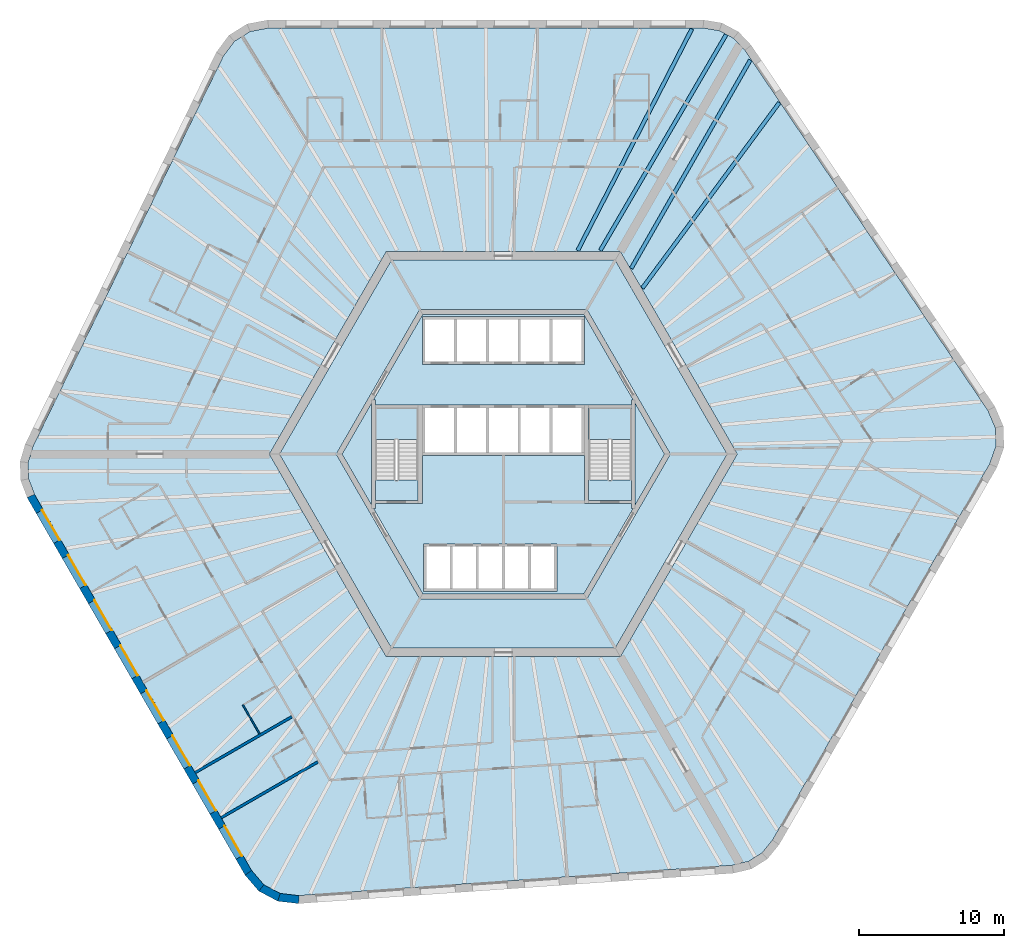
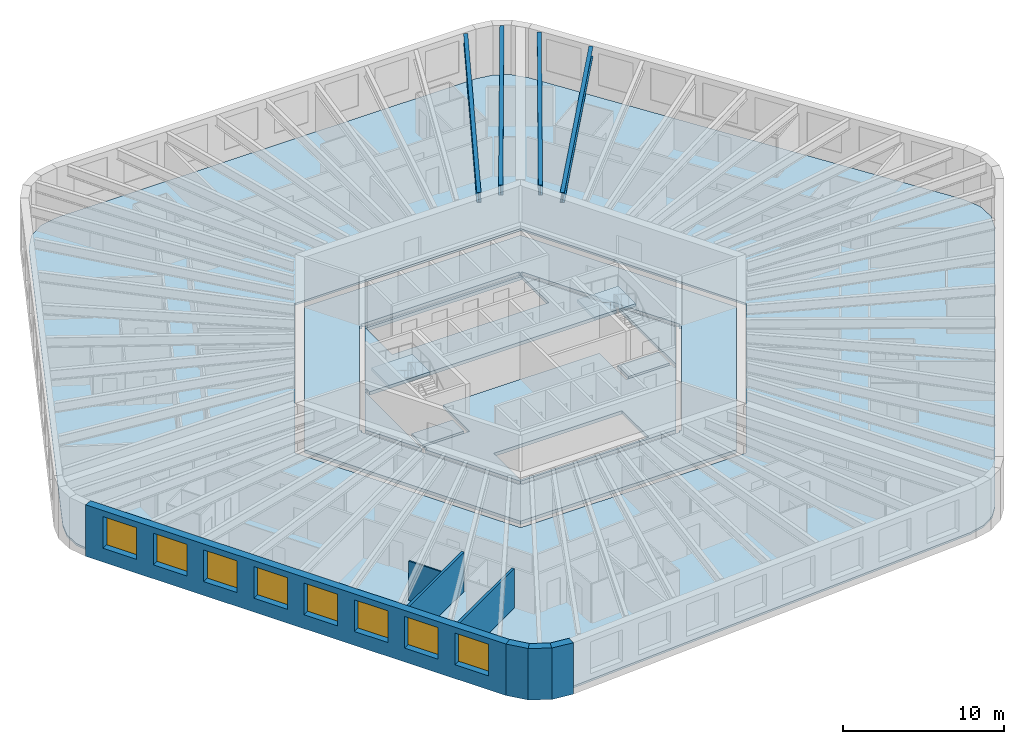
# One storey, part 2 of 12: 10 slabs, 8 windows, 7 walls, 4 beams, 8 openings, 2 elements without a shape of their own.
"""IFC4 building model written with IfcOpenShell, lengths in metres."""

import ifcopenshell
import ifcopenshell.guid

model = None  # the IFC model being written
_history = None  # IfcOwnerHistory: only IFC2X3 demands one
_inside = {}  # id of a spatial element -> (the spatial element, [elements in it])
_under = {}  # id of a project, library or spatial element -> (it, [spatial elements below it])
_declared = {}  # id of a project -> (the project, [libraries it declares])
_typed = {}  # id of a type object -> (the type object, [elements of that type])
_made_of = {}  # id of a material, layer set ... -> (it, [elements and type objects made of it])


def new_model(schema):
    """Start an empty IFC model of exactly this schema.

    Asked for "IFC4X3", IfcOpenShell would pick the latest addendum, in which some entities
    have other attributes; the version numbers below select the first issue.
    IFC2X3 requires an IfcOwnerHistory on every rooted entity: one is made here for all.
    """
    global model, _history
    if schema == "IFC4X3":
        model = ifcopenshell.file(schema_version=(4, 3, 0, 0))
    else:
        model = ifcopenshell.file(schema=schema)
    _inside.clear()
    _under.clear()
    _declared.clear()
    _typed.clear()
    _made_of.clear()
    _history = None
    if model.schema == "IFC2X3":
        org = make("IfcOrganization", Name="unknown")
        user = make(
            "IfcPersonAndOrganization",
            ThePerson=make("IfcPerson", FamilyName="unknown"),
            TheOrganization=org,
        )
        app = make(
            "IfcApplication",
            ApplicationDeveloper=org,
            Version="unknown",
            ApplicationFullName="unknown",
            ApplicationIdentifier="unknown",
        )
        _history = make(
            "IfcOwnerHistory",
            OwningUser=user,
            OwningApplication=app,
            ChangeAction="ADDED",
            CreationDate=0,
        )
    return model


def make(cls, **values):
    """One entity of the class cls with the attributes given. An attribute that is None is left unset."""
    return model.create_entity(
        cls, **{name: value for name, value in values.items() if value is not None}
    )


def rooted(cls, **values):
    """An entity with a GlobalId (a new one), such as an element, a storey or a relation."""
    return make(cls, GlobalId=ifcopenshell.guid.new(), OwnerHistory=_history, **values)


def si_unit(unit_type, name, prefix=None):
    """IfcSIUnit, for example si_unit("LENGTHUNIT", "METRE", prefix="MILLI")."""
    return make("IfcSIUnit", UnitType=unit_type, Prefix=prefix, Name=name)


def assignment(units):
    """IfcUnitAssignment: the units of a project."""
    return None if units is None else make("IfcUnitAssignment", Units=units)


def point(xyz):
    """IfcCartesianPoint."""
    return None if xyz is None else make("IfcCartesianPoint", Coordinates=xyz)


def direction(xyz):
    """IfcDirection."""
    return None if xyz is None else make("IfcDirection", DirectionRatios=xyz)


def frame(location, z_axis=None, x_axis=None):
    """IfcAxis2Placement3D, a coordinate frame: its origin and axes. An axis left out is left unset."""
    return make(
        "IfcAxis2Placement3D",
        Location=point(location),
        Axis=direction(z_axis),
        RefDirection=direction(x_axis),
    )


def frame_2d(location, x_axis=None):
    """IfcAxis2Placement2D, a coordinate frame in the plane: its origin and x axis."""
    return make(
        "IfcAxis2Placement2D", Location=point(location), RefDirection=direction(x_axis)
    )


def origin():
    """The frame at (0, 0, 0) with its axes left unset."""
    return frame((0.0, 0.0, 0.0))


def origin_2d():
    """The frame at (0, 0) in the plane with its x axis left unset."""
    return frame_2d((0.0, 0.0))


def place(relative_to, where):
    """IfcLocalPlacement: puts the frame where relative to a parent placement (None: the world)."""
    return make(
        "IfcLocalPlacement", PlacementRelTo=relative_to, RelativePlacement=where
    )


def context(
    kind, dimensions, precision=None, world=None, true_north=None, identifier=None
):
    """IfcGeometricRepresentationContext, for example the 3D "Model" context."""
    return make(
        "IfcGeometricRepresentationContext",
        ContextIdentifier=identifier,
        ContextType=kind,
        CoordinateSpaceDimension=dimensions,
        Precision=precision,
        WorldCoordinateSystem=world,
        TrueNorth=true_north,
    )


def subcontext(parent, identifier, kind, view, scale=None):
    """IfcGeometricRepresentationSubContext, for example "Body" below "Model"."""
    return make(
        "IfcGeometricRepresentationSubContext",
        ContextIdentifier=identifier,
        ContextType=kind,
        ParentContext=parent,
        TargetScale=scale,
        TargetView=view,
    )


def project(units=None, contexts=None):
    """IfcProject with its units and contexts."""
    return rooted(
        "IfcProject",
        Name="project",
        RepresentationContexts=contexts,
        UnitsInContext=assignment(units),
    )


def spatial(cls, under=None, at=None, **own):
    """A site, building, storey or space (cls), placed at a placement, below another one or the project."""
    s = rooted(cls, ObjectPlacement=at, **own)
    if under is not None:
        _under.setdefault(under.id(), (under, []))[1].append(s)
    return s


def polyline(points):
    """IfcPolyline through the points."""
    return make("IfcPolyline", Points=[point(p) for p in points])


def profile(cls, at=None, kind="AREA", **sizes):
    """A parametric profile (cls). Its sizes go by their IFC names, for example OverallWidth=200.0."""
    return make(cls, ProfileType=kind, Position=at, **sizes)


def rectangle(**sizes):
    """IfcRectangleProfileDef."""
    return profile("IfcRectangleProfileDef", **sizes)


def i_section(**sizes):
    """IfcIShapeProfileDef."""
    return profile("IfcIShapeProfileDef", **sizes)


def outline(outer, holes=None, kind="AREA"):
    """IfcArbitraryClosedProfileDef: a profile drawn as a closed curve; with holes, ...WithVoids."""
    if holes is None:
        return make("IfcArbitraryClosedProfileDef", ProfileType=kind, OuterCurve=outer)
    return make(
        "IfcArbitraryProfileDefWithVoids",
        ProfileType=kind,
        OuterCurve=outer,
        InnerCurves=holes,
    )


def extrude(swept, where, along, depth):
    """IfcExtrudedAreaSolid: the profile swept, set in the frame where, extruded along a direction by depth."""
    return make(
        "IfcExtrudedAreaSolid",
        SweptArea=swept,
        Position=where,
        ExtrudedDirection=direction(along),
        Depth=depth,
    )


def shape(context_of_items, identifier, shape_type, items):
    """IfcShapeRepresentation: the items that make up one representation, for example the "Body"."""
    return make(
        "IfcShapeRepresentation",
        ContextOfItems=context_of_items,
        RepresentationIdentifier=identifier,
        RepresentationType=shape_type,
        Items=items,
    )


def material(Name=None, Category=None):
    """IfcMaterial."""
    return make("IfcMaterial", Name=Name, Category=Category)


def layer(
    of_material, thickness, ventilated=None, Name=None, Category=None, Priority=None
):
    """IfcMaterialLayer: one layer of a wall or slab, of a material (None: an air gap)."""
    return make(
        "IfcMaterialLayer",
        Material=of_material,
        LayerThickness=thickness,
        IsVentilated=ventilated,
        Name=Name,
        Category=Category,
        Priority=Priority,
    )


def layer_set(layers, Name=None):
    """IfcMaterialLayerSet."""
    return make("IfcMaterialLayerSet", MaterialLayers=layers, LayerSetName=Name)


def material_profile(
    of_material, cross_section, Name=None, Category=None, Priority=None
):
    """IfcMaterialProfile: a cross section and its material."""
    return make(
        "IfcMaterialProfile",
        Name=Name,
        Material=of_material,
        Profile=cross_section,
        Priority=Priority,
        Category=Category,
    )


def profile_set(profiles, Name=None, composite=None):
    """IfcMaterialProfileSet."""
    return make(
        "IfcMaterialProfileSet",
        Name=Name,
        MaterialProfiles=profiles,
        CompositeProfile=composite,
    )


def made_of(thing, what):
    """Note that an element or type object is made of a material, layer set ...; save() writes the relation."""
    if what is not None:
        _made_of.setdefault(what.id(), (what, []))[1].append(thing)
    return thing


def type_object(cls, material=None, **own):
    """A type object (cls), such as IfcWallType, which elements share."""
    return made_of(rooted(cls, **own), material)


def element(
    cls,
    number,
    at=None,
    inside=None,
    cuts=None,
    type_object=None,
    material=None,
    context=None,
    identifier="Body",
    shape_type=None,
    held_by="IfcProductDefinitionShape",
    body=None,
    shapes=None,
    **own,
):
    """One element of the class cls, such as IfcWall. Its Tag is "e" and its number.

    at: its placement. inside: the storey or other place that contains it. cuts: it is an
    opening in that element (IfcRelVoidsElement). A single representation is given by context,
    identifier, shape_type and body (its items); several are given by shapes. held_by: the class
    of the entity that holds the representations. save() writes the other relations.
    """
    e = rooted(cls, Tag="e%d" % number, ObjectPlacement=at, **own)
    if body is not None:
        shapes = [shape(context, identifier, shape_type, body)]
    if shapes is not None:
        e.Representation = make(held_by, Representations=shapes)
    if inside is not None:
        _inside.setdefault(inside.id(), (inside, []))[1].append(e)
    if cuts is not None:
        rooted(
            "IfcRelVoidsElement", RelatingBuildingElement=cuts, RelatedOpeningElement=e
        )
    if type_object is not None:
        _typed.setdefault(type_object.id(), (type_object, []))[1].append(e)
    return made_of(e, material)


def fill(opening, filler):
    """IfcRelFillsElement: the door or window that sits in an opening."""
    return rooted(
        "IfcRelFillsElement",
        RelatingOpeningElement=opening,
        RelatedBuildingElement=filler,
    )


def aggregate(whole, parts):
    """IfcRelAggregates: a whole, such as a stair, and the parts it consists of."""
    return rooted("IfcRelAggregates", RelatingObject=whole, RelatedObjects=parts)


def save(model, path):
    """Write the relations noted so far, then the file.

    IfcRelAggregates (storeys below a building ...), IfcRelContainedInSpatialStructure (elements
    in a storey), IfcRelDefinesByType, IfcRelAssociatesMaterial and IfcRelDeclares: one each for
    every whole, place, type object, material and project.
    """
    for whole, parts in _under.values():
        aggregate(whole, parts)
    for where, things in _inside.values():
        rooted(
            "IfcRelContainedInSpatialStructure",
            RelatedElements=things,
            RelatingStructure=where,
        )
    for kind, things in _typed.values():
        rooted("IfcRelDefinesByType", RelatedObjects=things, RelatingType=kind)
    for what, things in _made_of.values():
        rooted("IfcRelAssociatesMaterial", RelatedObjects=things, RelatingMaterial=what)
    for by, libraries in _declared.values():
        rooted("IfcRelDeclares", RelatingContext=by, RelatedDefinitions=libraries)
    model.write(path)


model = new_model("IFC4")

# Units and contexts
model_context = context("Model", 3, precision=1e-05, world=origin(), true_north=direction((0.0, 1.0)))
body_context = subcontext(model_context, "Body", "Model", "MODEL_VIEW")
ifc_project = project(units=[si_unit("LENGTHUNIT", "METRE"), si_unit("AREAUNIT", "SQUARE_METRE"), si_unit("VOLUMEUNIT", "CUBIC_METRE"), si_unit("PLANEANGLEUNIT", "RADIAN"), si_unit("MASSUNIT", "GRAM", prefix="KILO")], contexts=[model_context])

# Site, building, storey
site_placement = place(None, origin())
site = spatial("IfcSite", under=ifc_project, at=site_placement, CompositionType="ELEMENT")
building_placement = place(site_placement, origin())
building = spatial("IfcBuilding", under=site, at=building_placement, Name="Tarnside Tower", CompositionType="ELEMENT")
storey_placement = place(building_placement, frame((0.0, 0.0, 88.199951171875)))
storey = spatial("IfcBuildingStorey", under=building, at=storey_placement, Name="L19", CompositionType="ELEMENT", Elevation=88.199951171875)

# Beams
ifc_material_1 = material(Name="Steel S355", Category="steel")
ifc_material_profile = material_profile(ifc_material_1, i_section(OverallWidth=0.2666015625, OverallDepth=0.76220703125, WebThickness=0.014404296875, FlangeThickness=0.021484375, FilletRadius=0.0166015625, at=origin_2d()), Name="UB 762x267x173")
ifc_profile_set = profile_set([ifc_material_profile], Name="Steel S355")
beam_type = type_object("IfcBeamType", Name="Floor beam UB 762x267x173", PredefinedType="BEAM", material=ifc_profile_set)
beam_1_placement = place(storey_placement, frame((13.0283203125, 29.37890625, 3.368896484375), z_axis=(-0.457973226459, -0.888965985765, 0.0), x_axis=(0.888965985765, -0.457973226459, 0.0)))
element("IfcBeam", 1, at=beam_1_placement, inside=storey, type_object=beam_type, Name="Floor beam F1.01", PredefinedType="BEAM", context=body_context, shape_type="SweptSolid", body=[
    extrude(i_section(OverallWidth=0.2666015625, OverallDepth=0.76220703125, WebThickness=0.014404296875, FlangeThickness=0.021484375, FilletRadius=0.0166015625, at=origin_2d()), origin(), (0.0, 0.0, 1.0), 17.219970703125),
])
beam_2_placement = place(storey_placement, frame((19.072021484375, 24.28857421875, 3.368896484375), z_axis=(-0.593986893499, -0.804474717037, 0.0), x_axis=(0.804474717037, -0.593986893499, 0.0)))
element("IfcBeam", 2, at=beam_2_placement, inside=storey, type_object=beam_type, Name="Floor beam F6.08", PredefinedType="BEAM", context=body_context, shape_type="SweptSolid", body=[
    extrude(i_section(OverallWidth=0.2666015625, OverallDepth=0.76220703125, WebThickness=0.014404296875, FlangeThickness=0.021484375, FilletRadius=0.0166015625, at=origin_2d()), origin(), (0.0, 0.0, 1.0), 15.934326171875),
])
beam_3_placement = place(storey_placement, frame((17.066162109375, 27.235107421875, 3.368896484375), z_axis=(-0.49622611841, -0.868193319145, 0.0), x_axis=(0.868193319145, -0.49622611841, 0.0)))
element("IfcBeam", 3, at=beam_3_placement, inside=storey, type_object=beam_type, Name="Floor beam F6.09", PredefinedType="BEAM", context=body_context, shape_type="SweptSolid", body=[
    extrude(i_section(OverallWidth=0.2666015625, OverallDepth=0.76220703125, WebThickness=0.014404296875, FlangeThickness=0.021484375, FilletRadius=0.0166015625, at=origin_2d()), origin(), (0.0, 0.0, 1.0), 16.586669921875),
])
beam_4_placement = place(storey_placement, frame((15.4013671875, 28.990478515625, 3.368896484375), z_axis=(-0.503858723096, -0.863786077198, 0.0), x_axis=(0.863786077198, -0.503858723096, 0.0)))
element("IfcBeam", 4, at=beam_4_placement, inside=storey, type_object=beam_type, Name="Floor beam C6", PredefinedType="BEAM", context=body_context, shape_type="SweptSolid", body=[
    extrude(i_section(OverallWidth=0.2666015625, OverallDepth=0.76220703125, WebThickness=0.014404296875, FlangeThickness=0.021484375, FilletRadius=0.0166015625, at=origin_2d()), origin(), (0.0, 0.0, 1.0), 17.2744140625),
])

# Slabs
ifc_material_2 = material(Name="Concrete C35/45", Category="concrete")
ifc_layer_1 = layer(ifc_material_2, 0.14990234375)
ifc_layer_set_1 = layer_set([ifc_layer_1], Name="Composite floor slab 150")
slab_type_1 = type_object("IfcSlabType", Name="Composite floor slab 150", PredefinedType="FLOOR", material=ifc_layer_set_1)
slab_1_placement = place(storey_placement, frame((0.0, 0.0, -0.14990234375)))
element("IfcSlab", 5, at=slab_1_placement, inside=storey, type_object=slab_type_1, Name="Floor slab L19", PredefinedType="FLOOR", context=body_context, shape_type="SweptSolid", body=[
    extrude(outline(polyline([(14.927490234375, 29.264892578125), (15.91455078125, 28.740234375), (16.697265625, 27.91064453125), (33.48583984375, 3.0205078125), (34.001220703125, 1.825439453125), (34.0458984375, 0.55078125), (33.614990234375, -0.67724609375), (18.603515625, -26.677978515625), (17.880615234375, -27.56005859375), (16.9326171875, -28.15234375), (15.82275390625, -28.41552734375), (-14.127197265625, -30.509765625), (-15.419921875, -30.358642578125), (-16.5458984375, -29.760009765625), (-17.39404296875, -28.772705078125), (-32.405517578125, -2.772216796875), (-32.80810546875, -1.704833984375), (-32.846923828125, -0.587890625), (-32.52001953125, 0.5048828125), (-19.358642578125, 27.4892578125), (-18.58154296875, 28.533203125), (-17.5, 29.208984375), (-16.220947265625, 29.449951171875), (13.802001953125, 29.449951171875), (14.927490234375, 29.264892578125)]), holes=[polyline([(-16.165771484375, 0.0), (-8.0830078125, -14.0), (8.0830078125, -14.0), (16.165771484375, 0.0), (8.0830078125, 14.0), (-8.0830078125, 14.0), (-16.165771484375, 0.0)])]), origin(), (0.0, 0.0, 1.0), 0.14990234375),
])
ifc_material_3 = material(Name="Concrete C40/50", Category="concrete")
ifc_layer_2 = layer(ifc_material_3, 0.25)
ifc_layer_set_2 = layer_set([ifc_layer_2], Name="Core slab C40/50")
slab_type_2 = type_object("IfcSlabType", Name="Core slab C40/50", PredefinedType="FLOOR", material=ifc_layer_set_2)
slab_2_placement = place(storey_placement, frame((0.0, 0.0, -0.25)))
element("IfcSlab", 6, at=slab_2_placement, inside=storey, type_object=slab_type_2, Name="L19 core floor slab 1", PredefinedType="FLOOR", context=body_context, shape_type="SweptSolid", body=[
    extrude(outline(polyline([(-15.472900390625, 0.0), (-7.736572265625, 13.39990234375), (7.736572265625, 13.39990234375), (15.472900390625, 0.0), (7.736572265625, -13.39990234375), (-7.736572265625, -13.39990234375), (-15.472900390625, 0.0)]), holes=[polyline([(5.823974609375, -9.91259765625), (11.49658203125, -0.08740234375), (11.344970703125, 0.0), (11.49658203125, 0.08740234375), (5.823974609375, 9.91259765625), (5.672607421875, 9.824951171875), (5.672607421875, 10.0), (-5.672607421875, 10.0), (-5.672607421875, 9.824951171875), (-5.823974609375, 9.91259765625), (-11.49658203125, 0.08740234375), (-11.344970703125, 0.0), (-11.49658203125, -0.08740234375), (-5.823974609375, -9.91259765625), (-5.672607421875, -9.824951171875), (-5.672607421875, -10.0), (5.672607421875, -10.0), (5.672607421875, -9.824951171875), (5.823974609375, -9.91259765625)])]), origin(), (0.0, 0.0, 1.0), 0.25),
])
slab_3_placement = place(storey_placement, frame((0.0, 0.0, -0.25)))
element("IfcSlab", 7, at=slab_3_placement, inside=storey, type_object=slab_type_2, Name="L19 core floor slab 2", PredefinedType="FLOOR", context=body_context, shape_type="SweptSolid", body=[
    extrude(outline(polyline([(-8.97509765625, 3.7548828125), (-5.5712890625, 9.64990234375), (5.5712890625, 9.64990234375), (8.97509765625, 3.7548828125), (8.85009765625, 3.7548828125), (8.85009765625, 3.39990234375), (5.89990234375, 3.39990234375), (5.60009765625, 3.39990234375), (5.60009765625, 3.39990234375), (-5.60009765625, 3.39990234375), (-5.89990234375, 3.39990234375), (-8.85009765625, 3.39990234375), (-8.85009765625, 3.7548828125), (-8.97509765625, 3.7548828125)]), holes=[polyline([(-5.60009765625, 6.199951171875), (5.60009765625, 6.199951171875), (5.60009765625, 6.39990234375), (5.60009765625, 9.300048828125), (5.60009765625, 9.5), (-5.60009765625, 9.5), (-5.60009765625, 9.300048828125), (-5.60009765625, 6.39990234375), (-5.60009765625, 6.199951171875)])]), origin(), (0.0, 0.0, 1.0), 0.25),
])
slab_4_placement = place(storey_placement, frame((0.0, 0.0, -0.25)))
element("IfcSlab", 8, at=slab_4_placement, inside=storey, type_object=slab_type_2, Name="L19 core floor slab 3", PredefinedType="FLOOR", context=body_context, shape_type="SweptSolid", body=[
    extrude(outline(polyline([(5.60009765625, -3.39990234375), (5.89990234375, -3.39990234375), (8.85009765625, -3.39990234375), (8.85009765625, -3.7548828125), (8.97509765625, -3.7548828125), (5.5712890625, -9.64990234375), (-5.5712890625, -9.64990234375), (-8.97509765625, -3.7548828125), (-8.85009765625, -3.7548828125), (-8.85009765625, -3.39990234375), (-5.89990234375, -3.39990234375), (-5.60009765625, -3.39990234375), (-5.60009765625, -0.10009765625), (5.60009765625, -0.10009765625), (5.60009765625, -3.39990234375)]), holes=[polyline([(-5.5, -9.300048828125), (-5.5, -9.5), (3.699951171875, -9.5), (3.699951171875, -9.300048828125), (3.699951171875, -6.39990234375), (3.699951171875, -6.199951171875), (-5.5, -6.199951171875), (-5.5, -6.39990234375), (-5.5, -9.300048828125)])]), origin(), (0.0, 0.0, 1.0), 0.25),
])
slab_5_placement = place(storey_placement, frame((0.0, 0.0, -0.25)))
element("IfcSlab", 9, at=slab_5_placement, inside=storey, type_object=slab_type_2, Name="L19 core floor slab 4", PredefinedType="FLOOR", context=body_context, shape_type="SweptSolid", body=[
    extrude(outline(polyline([(-11.142822265625, 0.0), (-9.10009765625, 3.538330078125), (-9.10009765625, -3.538330078125), (-11.142822265625, 0.0)])), origin(), (0.0, 0.0, 1.0), 0.25),
])
slab_6_placement = place(storey_placement, frame((0.0, 0.0, -0.25)))
element("IfcSlab", 10, at=slab_6_placement, inside=storey, type_object=slab_type_2, Name="L19 core floor slab 5", PredefinedType="FLOOR", context=body_context, shape_type="SweptSolid", body=[
    extrude(outline(polyline([(-8.85009765625, -1.800048828125), (-5.89990234375, -1.800048828125), (-5.89990234375, -3.199951171875), (-8.85009765625, -3.199951171875), (-8.85009765625, -1.800048828125)])), origin(), (0.0, 0.0, 1.0), 0.25),
])
slab_7_placement = place(storey_placement, frame((0.0, 0.0, -0.25)))
element("IfcSlab", 11, at=slab_7_placement, inside=storey, type_object=slab_type_2, Name="L19 core floor slab 6", PredefinedType="FLOOR", context=body_context, shape_type="SweptSolid", body=[
    extrude(outline(polyline([(5.89990234375, -3.199951171875), (5.89990234375, -1.800048828125), (8.85009765625, -1.800048828125), (8.85009765625, -3.199951171875), (5.89990234375, -3.199951171875)])), origin(), (0.0, 0.0, 1.0), 0.25),
])
slab_8_placement = place(storey_placement, frame((0.0, 0.0, -0.25)))
element("IfcSlab", 12, at=slab_8_placement, inside=storey, type_object=slab_type_2, Name="L19 core floor slab 7", PredefinedType="FLOOR", context=body_context, shape_type="SweptSolid", body=[
    extrude(outline(polyline([(9.10009765625, -3.538330078125), (9.10009765625, 3.538330078125), (11.142822265625, 0.0), (9.10009765625, -3.538330078125)])), origin(), (0.0, 0.0, 1.0), 0.25),
])

# Stair, slab
stair_type = type_object("IfcStairType", Name="Exit stair 1400 clear", PredefinedType="HALF_TURN_STAIR", material=ifc_material_3)
stair_1_placement = place(storey_placement, origin())
stair_1 = element("IfcStair", 13, at=stair_1_placement, inside=storey, type_object=stair_type, Name="L19 Exit stair 1", PredefinedType="HALF_TURN_STAIR")
ifc_layer_3 = layer(ifc_material_3, 0.199951171875)
ifc_layer_set_3 = layer_set([ifc_layer_3], Name="Stair landing 200 C40/50")
slab_type_3 = type_object("IfcSlabType", Name="Stair landing 200 C40/50", PredefinedType="LANDING", material=ifc_layer_set_3)
slab_9_placement = place(storey_placement, frame((0.0, 0.0, 1.75)))
slab_9 = element("IfcSlab", 14, at=slab_9_placement, type_object=slab_type_3, Name="ST1 landing 1", PredefinedType="LANDING", context=body_context, shape_type="SweptSolid", body=[
    extrude(outline(polyline([(8.85009765625, 1.0), (8.85009765625, 3.199951171875), (5.89990234375, 3.199951171875), (5.89990234375, 1.0), (8.85009765625, 1.0)])), origin(), (0.0, 0.0, 1.0), 0.199951171875),
])
aggregate(stair_1, [slab_9])

stair_2_placement = place(storey_placement, origin())
stair_2 = element("IfcStair", 15, at=stair_2_placement, inside=storey, type_object=stair_type, Name="L19 Exit stair 2", PredefinedType="HALF_TURN_STAIR")
slab_10_placement = place(storey_placement, frame((0.0, 0.0, 1.75)))
slab_10 = element("IfcSlab", 16, at=slab_10_placement, type_object=slab_type_3, Name="ST2 landing 1", PredefinedType="LANDING", context=body_context, shape_type="SweptSolid", body=[
    extrude(outline(polyline([(-5.89990234375, 1.0), (-5.89990234375, 3.199951171875), (-8.85009765625, 3.199951171875), (-8.85009765625, 1.0), (-5.89990234375, 1.0)])), origin(), (0.0, 0.0, 1.0), 0.199951171875),
])
aggregate(stair_2, [slab_10])

# Walls
ifc_material_4 = material(Name="Gypsum board partition on steel studs", Category="steel")
ifc_layer_4 = layer(ifc_material_4, 0.10009765625)
ifc_layer_set_4 = layer_set([ifc_layer_4], Name="Bathroom wall 100")
wall_type_1 = type_object("IfcWallType", Name="Bathroom wall 100", PredefinedType="PARTITIONING", material=ifc_layer_set_4)
wall_1_placement = place(storey_placement, frame((-16.840576171875, -19.331298828125, 0.0), z_axis=(0.0, 0.0, 1.0), x_axis=(-0.500015210774, 0.866016621662, 0.0)))
element("IfcWall", 17, at=wall_1_placement, inside=storey, type_object=wall_type_1, Name="Bathroom wall 05115", PredefinedType="PARTITIONING", context=body_context, shape_type="SweptSolid", body=[
    extrude(rectangle(XDim=2.31005859375, YDim=0.10009765625, at=frame_2d((1.155029296875, 0.0))), origin(), (0.0, 0.0, 1.0), 2.98779296875),
])
ifc_layer_5 = layer(ifc_material_4, 0.179931640625)
ifc_layer_set_5 = layer_set([ifc_layer_5], Name="Demising wall 180 EI 60")
wall_type_2 = type_object("IfcWallType", Name="Demising wall 180 EI 60", PredefinedType="PARTITIONING", material=ifc_layer_set_5)
wall_2_placement = place(storey_placement, frame((-21.298828125, -22.00927734375, 0.0), z_axis=(0.0, 0.0, 1.0), x_axis=(0.866019273868, 0.500010617176, 0.0)))
element("IfcWall", 18, at=wall_2_placement, inside=storey, type_object=wall_type_2, Name="Demising wall 05117", PredefinedType="PARTITIONING", context=body_context, shape_type="SweptSolid", body=[
    extrude(rectangle(XDim=7.724853515625, YDim=0.179931640625, at=frame_2d((3.8623046875, 0.0))), origin(), (0.0, 0.0, 1.0), 2.98779296875),
])
wall_3_placement = place(storey_placement, frame((-19.4990234375, -25.126953125, 0.0), z_axis=(0.0, 0.0, 1.0), x_axis=(0.866027174938, 0.499996932259, 0.0)))
element("IfcWall", 19, at=wall_3_placement, inside=storey, type_object=wall_type_2, Name="Demising wall 05121", PredefinedType="PARTITIONING", context=body_context, shape_type="SweptSolid", body=[
    extrude(rectangle(XDim=7.72509765625, YDim=0.179931640625, at=frame_2d((3.862548828125, 0.0))), origin(), (0.0, 0.0, 1.0), 2.98779296875),
])

# Wall, openings, windows
ifc_material_5 = material(Name="Facing brick", Category="masonry")
ifc_layer_6 = layer(ifc_material_5, 0.10205078125)
ifc_material_6 = material(Name="Concrete C60/75 precast", Category="concrete")
ifc_layer_7 = layer(ifc_material_6, 0.347900390625)
ifc_material_7 = material(Name="Mineral wool insulation")
ifc_layer_8 = layer(ifc_material_7, 0.10009765625)
ifc_layer_set_6 = layer_set([ifc_layer_6, ifc_layer_7, ifc_layer_8], Name="Tube wall 550 brick faced")
wall_type_3 = type_object("IfcWallType", Name="Tube wall 550 brick faced", PredefinedType="SOLIDWALL", material=ifc_layer_set_6)
wall_4_placement = place(storey_placement, frame((-32.65478515625, -2.89013671875, -0.14990234375), z_axis=(0.0, 0.0, 1.0), x_axis=(0.499997711317, -0.866026725152, 0.0)))
wall_4 = element("IfcWall", 20, at=wall_4_placement, inside=storey, type_object=wall_type_3, Name="Tube wall L19 F3 flush 08", PredefinedType="SOLIDWALL", context=body_context, shape_type="SweptSolid", body=[
    extrude(outline(polyline([(-0.0224609375, -0.27490234375), (30.0966796875, -0.27490234375), (30.04541015625, 0.27490234375), (0.0224609375, 0.27490234375), (-0.0224609375, -0.27490234375)])), origin(), (0.0, 0.0, 1.0), 3.89990234375),
])
opening_1_placement = place(wall_4_placement, frame((1.235595703125, 0.0, 1.050048828125)))
opening_1 = element("IfcOpeningElement", 21, at=opening_1_placement, cuts=wall_4, Name="Opening WH", PredefinedType="OPENING", context=body_context, shape_type="SweptSolid", body=[
    extrude(rectangle(XDim=2.39990234375, YDim=2.39990234375, at=frame_2d((1.199951171875, 1.199951171875))), frame((0.0, 0.28515625, 0.0), z_axis=(0.0, -1.0, 0.0), x_axis=(1.0, 0.0, 0.0)), (0.0, 0.0, 1.0), 0.570068359375),
])
opening_2_placement = place(wall_4_placement, frame((4.83544921875, 0.0, 1.050048828125)))
opening_2 = element("IfcOpeningElement", 22, at=opening_2_placement, cuts=wall_4, Name="Opening WH", PredefinedType="OPENING", context=body_context, shape_type="SweptSolid", body=[
    extrude(rectangle(XDim=2.39990234375, YDim=2.39990234375, at=frame_2d((1.199951171875, 1.199951171875))), frame((0.0, 0.28515625, 0.0), z_axis=(0.0, -1.0, 0.0), x_axis=(1.0, 0.0, 0.0)), (0.0, 0.0, 1.0), 0.570068359375),
])
opening_3_placement = place(wall_4_placement, frame((8.435546875, 0.0, 1.050048828125)))
opening_3 = element("IfcOpeningElement", 23, at=opening_3_placement, cuts=wall_4, Name="Opening WH", PredefinedType="OPENING", context=body_context, shape_type="SweptSolid", body=[
    extrude(rectangle(XDim=2.39990234375, YDim=2.39990234375, at=frame_2d((1.199951171875, 1.199951171875))), frame((0.0, 0.28515625, 0.0), z_axis=(0.0, -1.0, 0.0), x_axis=(1.0, 0.0, 0.0)), (0.0, 0.0, 1.0), 0.570068359375),
])
opening_4_placement = place(wall_4_placement, frame((12.035400390625, 0.0, 1.050048828125)))
opening_4 = element("IfcOpeningElement", 24, at=opening_4_placement, cuts=wall_4, Name="Opening WH", PredefinedType="OPENING", context=body_context, shape_type="SweptSolid", body=[
    extrude(rectangle(XDim=2.39990234375, YDim=2.39990234375, at=frame_2d((1.199951171875, 1.199951171875))), frame((0.0, 0.28515625, 0.0), z_axis=(0.0, -1.0, 0.0), x_axis=(1.0, 0.0, 0.0)), (0.0, 0.0, 1.0), 0.570068359375),
])
opening_5_placement = place(wall_4_placement, frame((15.635498046875, 0.0, 1.050048828125)))
opening_5 = element("IfcOpeningElement", 25, at=opening_5_placement, cuts=wall_4, Name="Opening WH", PredefinedType="OPENING", context=body_context, shape_type="SweptSolid", body=[
    extrude(rectangle(XDim=2.39990234375, YDim=2.39990234375, at=frame_2d((1.199951171875, 1.199951171875))), frame((0.0, 0.28515625, 0.0), z_axis=(0.0, -1.0, 0.0), x_axis=(1.0, 0.0, 0.0)), (0.0, 0.0, 1.0), 0.570068359375),
])
opening_6_placement = place(wall_4_placement, frame((19.235595703125, 0.0, 1.050048828125)))
opening_6 = element("IfcOpeningElement", 26, at=opening_6_placement, cuts=wall_4, Name="Opening WH", PredefinedType="OPENING", context=body_context, shape_type="SweptSolid", body=[
    extrude(rectangle(XDim=2.39990234375, YDim=2.39990234375, at=frame_2d((1.199951171875, 1.199951171875))), frame((0.0, 0.28515625, 0.0), z_axis=(0.0, -1.0, 0.0), x_axis=(1.0, 0.0, 0.0)), (0.0, 0.0, 1.0), 0.570068359375),
])
opening_7_placement = place(wall_4_placement, frame((22.83544921875, 0.0, 1.050048828125)))
opening_7 = element("IfcOpeningElement", 27, at=opening_7_placement, cuts=wall_4, Name="Opening WH", PredefinedType="OPENING", context=body_context, shape_type="SweptSolid", body=[
    extrude(rectangle(XDim=2.39990234375, YDim=2.39990234375, at=frame_2d((1.199951171875, 1.199951171875))), frame((0.0, 0.28515625, 0.0), z_axis=(0.0, -1.0, 0.0), x_axis=(1.0, 0.0, 0.0)), (0.0, 0.0, 1.0), 0.570068359375),
])
opening_8_placement = place(wall_4_placement, frame((26.435546875, 0.0, 1.050048828125)))
opening_8 = element("IfcOpeningElement", 28, at=opening_8_placement, cuts=wall_4, Name="Opening WH", PredefinedType="OPENING", context=body_context, shape_type="SweptSolid", body=[
    extrude(rectangle(XDim=2.39990234375, YDim=2.39990234375, at=frame_2d((1.199951171875, 1.199951171875))), frame((0.0, 0.28515625, 0.0), z_axis=(0.0, -1.0, 0.0), x_axis=(1.0, 0.0, 0.0)), (0.0, 0.0, 1.0), 0.570068359375),
])
ifc_material_8 = material(Name="Aluminium-framed double glazing", Category="aluminium")
window_type = type_object("IfcWindowType", Name="Hotel window 2400 x 2400", PartitioningType="DOUBLE_PANEL_VERTICAL", PredefinedType="WINDOW", material=ifc_material_8)
window_1_placement = place(opening_1_placement, frame((0.0, 0.205078125, 0.0)))
window_1 = element("IfcWindow", 29, at=window_1_placement, inside=storey, type_object=window_type, Name="E.WN.L19.F3.00", OverallHeight=2.39990234375, OverallWidth=2.39990234375, PartitioningType="DOUBLE_PANEL_VERTICAL", PredefinedType="WINDOW", context=body_context, shape_type="SweptSolid", body=[
    extrude(rectangle(XDim=2.39990234375, YDim=2.39990234375, at=frame_2d((1.199951171875, 1.199951171875))), frame((0.0, 0.030029296875, 0.0), z_axis=(0.0, -1.0, 0.0), x_axis=(1.0, 0.0, 0.0)), (0.0, 0.0, 1.0), 0.06005859375),
])
fill(opening_1, window_1)
window_2_placement = place(opening_2_placement, frame((0.0, 0.205078125, 0.0)))
window_2 = element("IfcWindow", 30, at=window_2_placement, inside=storey, type_object=window_type, Name="E.WN.L19.F3.01", OverallHeight=2.39990234375, OverallWidth=2.39990234375, PartitioningType="DOUBLE_PANEL_VERTICAL", PredefinedType="WINDOW", context=body_context, shape_type="SweptSolid", body=[
    extrude(rectangle(XDim=2.39990234375, YDim=2.39990234375, at=frame_2d((1.199951171875, 1.199951171875))), frame((0.0, 0.030029296875, 0.0), z_axis=(0.0, -1.0, 0.0), x_axis=(1.0, 0.0, 0.0)), (0.0, 0.0, 1.0), 0.06005859375),
])
fill(opening_2, window_2)
window_3_placement = place(opening_3_placement, frame((0.0, 0.205078125, 0.0)))
window_3 = element("IfcWindow", 31, at=window_3_placement, inside=storey, type_object=window_type, Name="E.WN.L19.F3.02", OverallHeight=2.39990234375, OverallWidth=2.39990234375, PartitioningType="DOUBLE_PANEL_VERTICAL", PredefinedType="WINDOW", context=body_context, shape_type="SweptSolid", body=[
    extrude(rectangle(XDim=2.39990234375, YDim=2.39990234375, at=frame_2d((1.199951171875, 1.199951171875))), frame((0.0, 0.030029296875, 0.0), z_axis=(0.0, -1.0, 0.0), x_axis=(1.0, 0.0, 0.0)), (0.0, 0.0, 1.0), 0.06005859375),
])
fill(opening_3, window_3)
window_4_placement = place(opening_4_placement, frame((0.0, 0.205078125, 0.0)))
window_4 = element("IfcWindow", 32, at=window_4_placement, inside=storey, type_object=window_type, Name="E.WN.L19.F3.03", OverallHeight=2.39990234375, OverallWidth=2.39990234375, PartitioningType="DOUBLE_PANEL_VERTICAL", PredefinedType="WINDOW", context=body_context, shape_type="SweptSolid", body=[
    extrude(rectangle(XDim=2.39990234375, YDim=2.39990234375, at=frame_2d((1.199951171875, 1.199951171875))), frame((0.0, 0.030029296875, 0.0), z_axis=(0.0, -1.0, 0.0), x_axis=(1.0, 0.0, 0.0)), (0.0, 0.0, 1.0), 0.06005859375),
])
fill(opening_4, window_4)
window_5_placement = place(opening_5_placement, frame((0.0, 0.205078125, 0.0)))
window_5 = element("IfcWindow", 33, at=window_5_placement, inside=storey, type_object=window_type, Name="E.WN.L19.F3.04", OverallHeight=2.39990234375, OverallWidth=2.39990234375, PartitioningType="DOUBLE_PANEL_VERTICAL", PredefinedType="WINDOW", context=body_context, shape_type="SweptSolid", body=[
    extrude(rectangle(XDim=2.39990234375, YDim=2.39990234375, at=frame_2d((1.199951171875, 1.199951171875))), frame((0.0, 0.030029296875, 0.0), z_axis=(0.0, -1.0, 0.0), x_axis=(1.0, 0.0, 0.0)), (0.0, 0.0, 1.0), 0.06005859375),
])
fill(opening_5, window_5)
window_6_placement = place(opening_6_placement, frame((0.0, 0.205078125, 0.0)))
window_6 = element("IfcWindow", 34, at=window_6_placement, inside=storey, type_object=window_type, Name="E.WN.L19.F3.05", OverallHeight=2.39990234375, OverallWidth=2.39990234375, PartitioningType="DOUBLE_PANEL_VERTICAL", PredefinedType="WINDOW", context=body_context, shape_type="SweptSolid", body=[
    extrude(rectangle(XDim=2.39990234375, YDim=2.39990234375, at=frame_2d((1.199951171875, 1.199951171875))), frame((0.0, 0.030029296875, 0.0), z_axis=(0.0, -1.0, 0.0), x_axis=(1.0, 0.0, 0.0)), (0.0, 0.0, 1.0), 0.06005859375),
])
fill(opening_6, window_6)
window_7_placement = place(opening_7_placement, frame((0.0, 0.205078125, 0.0)))
window_7 = element("IfcWindow", 35, at=window_7_placement, inside=storey, type_object=window_type, Name="E.WN.L19.F3.06", OverallHeight=2.39990234375, OverallWidth=2.39990234375, PartitioningType="DOUBLE_PANEL_VERTICAL", PredefinedType="WINDOW", context=body_context, shape_type="SweptSolid", body=[
    extrude(rectangle(XDim=2.39990234375, YDim=2.39990234375, at=frame_2d((1.199951171875, 1.199951171875))), frame((0.0, 0.030029296875, 0.0), z_axis=(0.0, -1.0, 0.0), x_axis=(1.0, 0.0, 0.0)), (0.0, 0.0, 1.0), 0.06005859375),
])
fill(opening_7, window_7)
window_8_placement = place(opening_8_placement, frame((0.0, 0.205078125, 0.0)))
window_8 = element("IfcWindow", 36, at=window_8_placement, inside=storey, type_object=window_type, Name="E.WN.L19.F3.07", OverallHeight=2.39990234375, OverallWidth=2.39990234375, PartitioningType="DOUBLE_PANEL_VERTICAL", PredefinedType="WINDOW", context=body_context, shape_type="SweptSolid", body=[
    extrude(rectangle(XDim=2.39990234375, YDim=2.39990234375, at=frame_2d((1.199951171875, 1.199951171875))), frame((0.0, 0.030029296875, 0.0), z_axis=(0.0, -1.0, 0.0), x_axis=(1.0, 0.0, 0.0)), (0.0, 0.0, 1.0), 0.06005859375),
])
fill(opening_8, window_8)

# Walls
wall_5_placement = place(storey_placement, frame((-17.619384765625, -28.932373046875, -0.14990234375), z_axis=(0.0, 0.0, 1.0), x_axis=(0.651621950847, -0.758543890078, 0.0)))
element("IfcWall", 37, at=wall_5_placement, inside=storey, type_object=wall_type_3, Name="Tube wall L19 F3 chord 09", PredefinedType="SOLIDWALL", context=body_context, shape_type="SweptSolid", body=[
    extrude(outline(polyline([(-0.025634765625, -0.27490234375), (1.430908203125, -0.27490234375), (1.327392578125, 0.27490234375), (0.025634765625, 0.27490234375), (-0.025634765625, -0.27490234375)])), origin(), (0.0, 0.0, 1.0), 3.89990234375),
])
wall_6_placement = place(storey_placement, frame((-16.720703125, -29.978515625, -0.14990234375), z_axis=(0.0, 0.0, 1.0), x_axis=(0.882994189209, -0.469383917304, 0.0)))
element("IfcWall", 38, at=wall_6_placement, inside=storey, type_object=wall_type_3, Name="Tube wall L19 F3 chord 10", PredefinedType="SOLIDWALL", context=body_context, shape_type="SweptSolid", body=[
    extrude(outline(polyline([(-0.0517578125, -0.27490234375), (1.4306640625, -0.27490234375), (1.3271484375, 0.27490234375), (0.0517578125, 0.27490234375), (-0.0517578125, -0.27490234375)])), origin(), (0.0, 0.0, 1.0), 3.89990234375),
])
wall_7_placement = place(storey_placement, frame((-15.503173828125, -30.625732421875, -0.14990234375), z_axis=(0.0, 0.0, 1.0), x_axis=(0.993232537394, -0.11614269956, 0.0)))
element("IfcWall", 39, at=wall_7_placement, inside=storey, type_object=wall_type_3, Name="Tube wall L19 F3 chord 11", PredefinedType="SOLIDWALL", context=body_context, shape_type="SweptSolid", body=[
    extrude(outline(polyline([(-0.0517578125, -0.27490234375), (1.404541015625, -0.27490234375), (1.353271484375, 0.27490234375), (0.0517578125, 0.27490234375), (-0.0517578125, -0.27490234375)])), origin(), (0.0, 0.0, 1.0), 3.89990234375),
])

save(model, "model.ifc")
